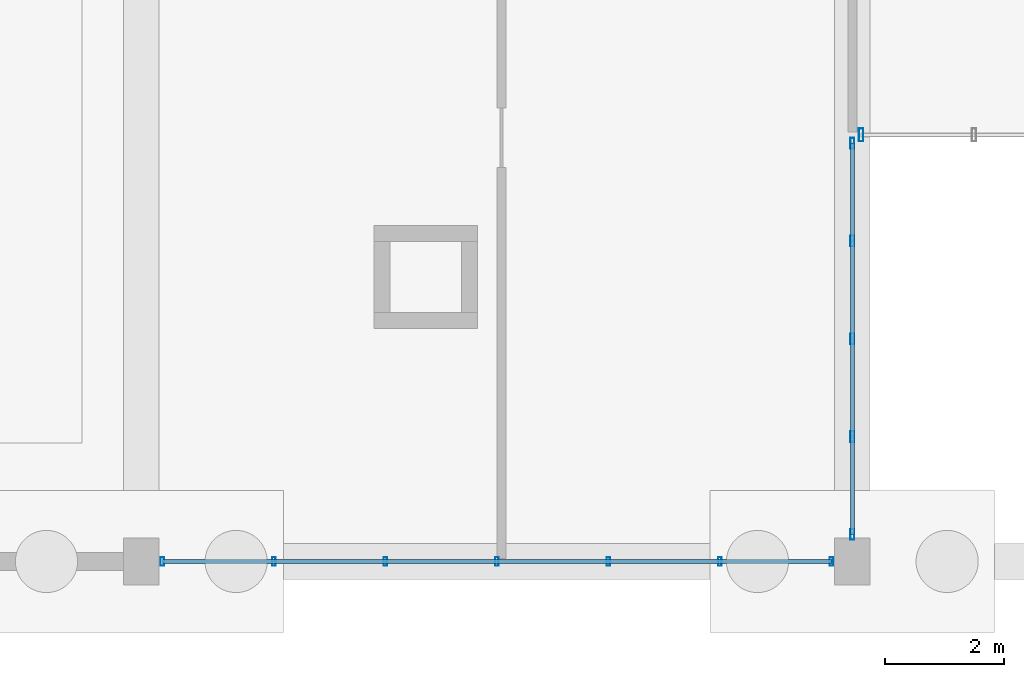
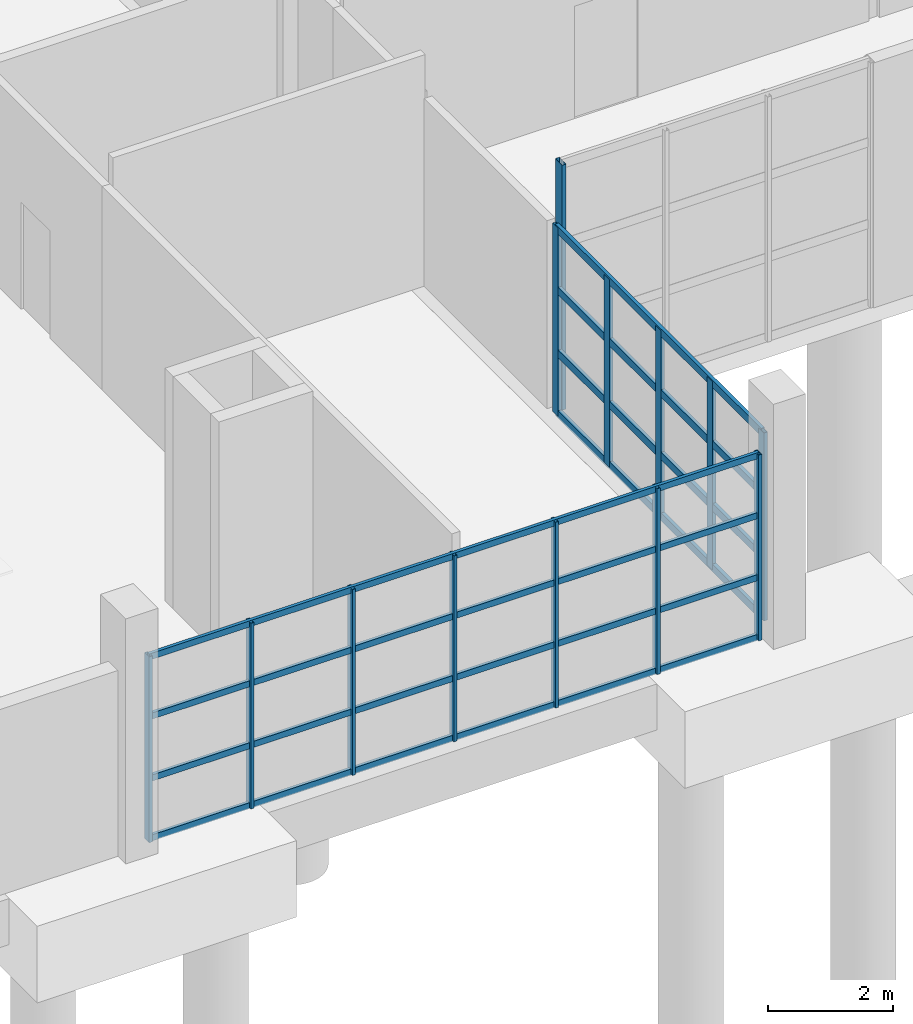
# One storey, part 18 of 82: 21 members, 3 elements without a shape of their own.
"""IFC4 building model written with IfcOpenShell, lengths in metres."""

from ifc_helpers import new_model, si_unit, direction, frame, origin, origin_2d, place, context, subcontext, project, spatial, hollow_rectangle, extrude, material, material_profile, profile_set, type_object, element, aggregate, save


model = new_model("IFC4")

# Units and contexts
model_context = context("Model", 3, precision=1e-05, world=origin(), true_north=direction((0.0, 1.0)))
body_context = subcontext(model_context, "Body", "Model", "MODEL_VIEW")
ifc_project = project(units=[si_unit("LENGTHUNIT", "METRE"), si_unit("AREAUNIT", "SQUARE_METRE"), si_unit("VOLUMEUNIT", "CUBIC_METRE"), si_unit("PLANEANGLEUNIT", "RADIAN"), si_unit("MASSUNIT", "GRAM", prefix="KILO")], contexts=[model_context])

# Site, building, storey
site_placement = place(None, origin())
site = spatial("IfcSite", under=ifc_project, at=site_placement, CompositionType="ELEMENT")
building_placement = place(site_placement, origin())
building = spatial("IfcBuilding", under=site, at=building_placement, Name="Kelmvaro Bay Concert Hall", CompositionType="ELEMENT")
storey_placement = place(building_placement, origin())
storey = spatial("IfcBuildingStorey", under=building, at=storey_placement, Name="L00", CompositionType="ELEMENT", Elevation=0.0)

# Curtain wall, members
ifc_material_1 = material(Name="Anodised Aluminium and Low-E Insulated Glazing", Category="aluminium")
curtain_wall_type_1 = type_object("IfcCurtainWallType", Name="Conservatory Courtyard Curtain Wall 3850", PredefinedType="USERDEFINED", material=ifc_material_1)
curtain_wall_1_placement = place(storey_placement, origin())
curtain_wall_1 = element("IfcCurtainWall", 1, at=curtain_wall_1_placement, inside=storey, type_object=curtain_wall_type_1, Name="Unitised Curtain Wall CW-L00-039", ObjectType="UNITISED GLAZING", PredefinedType="USERDEFINED")
ifc_material_2 = material(Name="Anodised Extruded Aluminium 6063-T6", Category="aluminium")
ifc_material_profile_1 = material_profile(ifc_material_2, hollow_rectangle(XDim=0.06494140625, YDim=0.179931640625, WallThickness=0.00390625, at=origin_2d()), Name="ALU-MUL-180X65")
ifc_profile_set_1 = profile_set([ifc_material_profile_1], Name="Anodised Extruded Aluminium 6063-T6")
member_type_1 = type_object("IfcMemberType", Name="Curtain Mullion ALU 180x65", PredefinedType="MULLION", material=ifc_profile_set_1)
member_1_placement = place(storey_placement, frame((48.0, 7.06005859375, 0.0), z_axis=(0.0, 0.0, 1.0), x_axis=(1.0, 0.0, 0.0)))
member_1 = element("IfcMember", 2, at=member_1_placement, type_object=member_type_1, Name="CW-L00-039 Mullion 01", PredefinedType="MULLION", context=body_context, shape_type="SweptSolid", body=[
    extrude(hollow_rectangle(XDim=0.06494140625, YDim=0.179931640625, WallThickness=0.00390625, at=origin_2d()), origin(), (0.0, 0.0, 1.0), 3.68408203125),
])
member_2_placement = place(storey_placement, frame((48.0, 5.40869140625, 0.0), z_axis=(0.0, 0.0, 1.0), x_axis=(1.0, 0.0, 0.0)))
member_2 = element("IfcMember", 3, at=member_2_placement, type_object=member_type_1, Name="CW-L00-039 Mullion 02", PredefinedType="MULLION", context=body_context, shape_type="SweptSolid", body=[
    extrude(hollow_rectangle(XDim=0.06494140625, YDim=0.179931640625, WallThickness=0.00390625, at=origin_2d()), origin(), (0.0, 0.0, 1.0), 3.68408203125),
])
member_3_placement = place(storey_placement, frame((48.0, 3.757568359375, 0.0), z_axis=(0.0, 0.0, 1.0), x_axis=(1.0, 0.0, 0.0)))
member_3 = element("IfcMember", 4, at=member_3_placement, type_object=member_type_1, Name="CW-L00-039 Mullion 03", PredefinedType="MULLION", context=body_context, shape_type="SweptSolid", body=[
    extrude(hollow_rectangle(XDim=0.06494140625, YDim=0.179931640625, WallThickness=0.00390625, at=origin_2d()), origin(), (0.0, 0.0, 1.0), 3.68408203125),
])
member_4_placement = place(storey_placement, frame((48.0, 2.106201171875, 0.0), z_axis=(0.0, 0.0, 1.0), x_axis=(1.0, 0.0, 0.0)))
member_4 = element("IfcMember", 5, at=member_4_placement, type_object=member_type_1, Name="CW-L00-039 Mullion 04", PredefinedType="MULLION", context=body_context, shape_type="SweptSolid", body=[
    extrude(hollow_rectangle(XDim=0.06494140625, YDim=0.179931640625, WallThickness=0.00390625, at=origin_2d()), origin(), (0.0, 0.0, 1.0), 3.68408203125),
])
member_5_placement = place(storey_placement, frame((48.0, 0.455078125, 0.0), z_axis=(0.0, 0.0, 1.0), x_axis=(1.0, 0.0, 0.0)))
member_5 = element("IfcMember", 6, at=member_5_placement, type_object=member_type_1, Name="CW-L00-039 Mullion 05", PredefinedType="MULLION", context=body_context, shape_type="SweptSolid", body=[
    extrude(hollow_rectangle(XDim=0.06494140625, YDim=0.179931640625, WallThickness=0.00390625, at=origin_2d()), origin(), (0.0, 0.0, 1.0), 3.68408203125),
])

# Curtain wall, member
ifc_material_3 = material(Name="Anodised Aluminium and Low-E Insulated Glazing", Category="aluminium")
curtain_wall_type_2 = type_object("IfcCurtainWallType", Name="Foyer Ground Hurricane Curtain Wall 4400", PredefinedType="USERDEFINED", material=ifc_material_3)
curtain_wall_2_placement = place(storey_placement, origin())
curtain_wall_2 = element("IfcCurtainWall", 7, at=curtain_wall_2_placement, inside=storey, type_object=curtain_wall_type_2, Name="Unitised Curtain Wall CW-L00-040", ObjectType="UNITISED GLAZING", PredefinedType="USERDEFINED")
ifc_material_4 = material(Name="Anodised Extruded Aluminium 6063-T6", Category="aluminium")
ifc_material_profile_2 = material_profile(ifc_material_4, hollow_rectangle(XDim=0.074951171875, YDim=0.219970703125, WallThickness=0.00439453125, at=origin_2d()), Name="ALU-MUL-220X75")
ifc_profile_set_2 = profile_set([ifc_material_profile_2], Name="Anodised Extruded Aluminium 6063-T6")
member_type_2 = type_object("IfcMemberType", Name="Curtain Mullion Heavy ALU 220x75", PredefinedType="MULLION", material=ifc_profile_set_2)
member_6_placement = place(storey_placement, frame((48.14990234375, 7.199951171875, 0.0), z_axis=(0.0, 0.0, 1.0), x_axis=(1.0, 0.0, 0.0)))
member_6 = element("IfcMember", 8, at=member_6_placement, type_object=member_type_2, Name="CW-L00-040 Mullion 04", PredefinedType="MULLION", context=body_context, shape_type="SweptSolid", body=[
    extrude(hollow_rectangle(XDim=0.074951171875, YDim=0.219970703125, WallThickness=0.00439453125, at=origin_2d()), origin(), (0.0, 0.0, 1.0), 4.800048828125),
])
aggregate(curtain_wall_2, [member_6])

# Curtain wall, members
curtain_wall_3_placement = place(storey_placement, origin())
curtain_wall_3 = element("IfcCurtainWall", 9, at=curtain_wall_3_placement, inside=storey, type_object=curtain_wall_type_1, Name="Unitised Curtain Wall CW-L00-038", ObjectType="UNITISED GLAZING", PredefinedType="USERDEFINED")
ifc_material_5 = material(Name="Anodised Extruded Aluminium 6063-T6", Category="aluminium")
ifc_material_profile_3 = material_profile(ifc_material_5, hollow_rectangle(XDim=0.06005859375, YDim=0.14990234375, WallThickness=0.00390625, at=origin_2d()), Name="ALU-MUL-150X60")
ifc_profile_set_3 = profile_set([ifc_material_profile_3], Name="Anodised Extruded Aluminium 6063-T6")
member_type_3 = type_object("IfcMemberType", Name="Curtain Mullion Slim ALU 150x60", PredefinedType="MULLION", material=ifc_profile_set_3)
member_7_placement = place(storey_placement, frame((47.64501953125, 0.0, 0.0), z_axis=(0.0, 0.0, 1.0), x_axis=(1.0, 0.0, 0.0)))
member_7 = element("IfcMember", 10, at=member_7_placement, type_object=member_type_3, Name="CW-L00-038 Mullion 01", PredefinedType="MULLION", context=body_context, shape_type="SweptSolid", body=[
    extrude(hollow_rectangle(XDim=0.06005859375, YDim=0.14990234375, WallThickness=0.00390625, at=origin_2d()), origin(), (0.0, 0.0, 1.0), 3.639892578125),
])
member_8_placement = place(storey_placement, frame((45.76318359375, 0.0, 0.0), z_axis=(0.0, 0.0, 1.0), x_axis=(1.0, 0.0, 0.0)))
member_8 = element("IfcMember", 11, at=member_8_placement, type_object=member_type_3, Name="CW-L00-038 Mullion 02", PredefinedType="MULLION", context=body_context, shape_type="SweptSolid", body=[
    extrude(hollow_rectangle(XDim=0.06005859375, YDim=0.14990234375, WallThickness=0.00390625, at=origin_2d()), origin(), (0.0, 0.0, 1.0), 3.639892578125),
])
member_9_placement = place(storey_placement, frame((43.881591796875, 0.0, 0.0), z_axis=(0.0, 0.0, 1.0), x_axis=(1.0, 0.0, 0.0)))
member_9 = element("IfcMember", 12, at=member_9_placement, type_object=member_type_3, Name="CW-L00-038 Mullion 03", PredefinedType="MULLION", context=body_context, shape_type="SweptSolid", body=[
    extrude(hollow_rectangle(XDim=0.06005859375, YDim=0.14990234375, WallThickness=0.00390625, at=origin_2d()), origin(), (0.0, 0.0, 1.0), 3.639892578125),
])
member_10_placement = place(storey_placement, frame((42.0, 0.0, 0.0), z_axis=(0.0, 0.0, 1.0), x_axis=(1.0, 0.0, 0.0)))
member_10 = element("IfcMember", 13, at=member_10_placement, type_object=member_type_3, Name="CW-L00-038 Mullion 04", PredefinedType="MULLION", context=body_context, shape_type="SweptSolid", body=[
    extrude(hollow_rectangle(XDim=0.06005859375, YDim=0.14990234375, WallThickness=0.00390625, at=origin_2d()), origin(), (0.0, 0.0, 1.0), 3.639892578125),
])
member_11_placement = place(storey_placement, frame((40.118408203125, 0.0, 0.0), z_axis=(0.0, 0.0, 1.0), x_axis=(1.0, 0.0, 0.0)))
member_11 = element("IfcMember", 14, at=member_11_placement, type_object=member_type_3, Name="CW-L00-038 Mullion 05", PredefinedType="MULLION", context=body_context, shape_type="SweptSolid", body=[
    extrude(hollow_rectangle(XDim=0.06005859375, YDim=0.14990234375, WallThickness=0.00390625, at=origin_2d()), origin(), (0.0, 0.0, 1.0), 3.639892578125),
])
member_12_placement = place(storey_placement, frame((38.23681640625, 0.0, 0.0), z_axis=(0.0, 0.0, 1.0), x_axis=(1.0, 0.0, 0.0)))
member_12 = element("IfcMember", 15, at=member_12_placement, type_object=member_type_3, Name="CW-L00-038 Mullion 06", PredefinedType="MULLION", context=body_context, shape_type="SweptSolid", body=[
    extrude(hollow_rectangle(XDim=0.06005859375, YDim=0.14990234375, WallThickness=0.00390625, at=origin_2d()), origin(), (0.0, 0.0, 1.0), 3.639892578125),
])
member_13_placement = place(storey_placement, frame((36.35498046875, 0.0, 0.0), z_axis=(0.0, 0.0, 1.0), x_axis=(1.0, 0.0, 0.0)))
member_13 = element("IfcMember", 16, at=member_13_placement, type_object=member_type_3, Name="CW-L00-038 Mullion 07", PredefinedType="MULLION", context=body_context, shape_type="SweptSolid", body=[
    extrude(hollow_rectangle(XDim=0.06005859375, YDim=0.14990234375, WallThickness=0.00390625, at=origin_2d()), origin(), (0.0, 0.0, 1.0), 3.639892578125),
])

# Member
ifc_material_6 = material(Name="Anodised Extruded Aluminium 6063-T6", Category="aluminium")
ifc_material_profile_4 = material_profile(ifc_material_6, hollow_rectangle(XDim=0.06494140625, YDim=0.14990234375, WallThickness=0.00390625, at=origin_2d()), Name="ALU-TRN-150X65")
ifc_profile_set_4 = profile_set([ifc_material_profile_4], Name="Anodised Extruded Aluminium 6063-T6")
member_type_4 = type_object("IfcMemberType", Name="Curtain Transom ALU 150x65", PredefinedType="USERDEFINED", material=ifc_profile_set_4)
member_14_placement = place(storey_placement, frame((48.0, 7.06005859375, 0.0400390625), z_axis=(0.0, -1.0, 0.0), x_axis=(1.0, 0.0, 0.0)))
member_14 = element("IfcMember", 17, at=member_14_placement, type_object=member_type_4, Name="CW-L00-039 Transom 01", ObjectType="TRANSOM", PredefinedType="USERDEFINED", context=body_context, shape_type="SweptSolid", body=[
    extrude(hollow_rectangle(XDim=0.06494140625, YDim=0.14990234375, WallThickness=0.00390625, at=origin_2d()), origin(), (0.0, 0.0, 1.0), 6.60498046875),
])

member_15_placement = place(storey_placement, frame((48.0, 7.06005859375, 1.22802734375), z_axis=(0.0, -1.0, 0.0), x_axis=(1.0, 0.0, 0.0)))
member_15 = element("IfcMember", 18, at=member_15_placement, type_object=member_type_4, Name="CW-L00-039 Transom 02", ObjectType="TRANSOM", PredefinedType="USERDEFINED", context=body_context, shape_type="SweptSolid", body=[
    extrude(hollow_rectangle(XDim=0.06494140625, YDim=0.14990234375, WallThickness=0.00390625, at=origin_2d()), origin(), (0.0, 0.0, 1.0), 6.60498046875),
])

member_16_placement = place(storey_placement, frame((48.0, 7.06005859375, 2.4560546875), z_axis=(0.0, -1.0, 0.0), x_axis=(1.0, 0.0, 0.0)))
member_16 = element("IfcMember", 19, at=member_16_placement, type_object=member_type_4, Name="CW-L00-039 Transom 03", ObjectType="TRANSOM", PredefinedType="USERDEFINED", context=body_context, shape_type="SweptSolid", body=[
    extrude(hollow_rectangle(XDim=0.06494140625, YDim=0.14990234375, WallThickness=0.00390625, at=origin_2d()), origin(), (0.0, 0.0, 1.0), 6.60498046875),
])

member_17_placement = place(storey_placement, frame((48.0, 7.06005859375, 3.64404296875), z_axis=(0.0, -1.0, 0.0), x_axis=(1.0, 0.0, 0.0)))
member_17 = element("IfcMember", 20, at=member_17_placement, type_object=member_type_4, Name="CW-L00-039 Transom 04", ObjectType="TRANSOM", PredefinedType="USERDEFINED", context=body_context, shape_type="SweptSolid", body=[
    extrude(hollow_rectangle(XDim=0.06494140625, YDim=0.14990234375, WallThickness=0.00390625, at=origin_2d()), origin(), (0.0, 0.0, 1.0), 6.60498046875),
])

aggregate(curtain_wall_1, [member_1, member_2, member_3, member_4, member_5, member_14, member_15, member_16, member_17])

ifc_material_7 = material(Name="Anodised Extruded Aluminium 6063-T6", Category="aluminium")
ifc_material_profile_5 = material_profile(ifc_material_7, hollow_rectangle(XDim=0.06005859375, YDim=0.1201171875, WallThickness=0.00390625, at=origin_2d()), Name="ALU-TRN-120X60")
ifc_profile_set_5 = profile_set([ifc_material_profile_5], Name="Anodised Extruded Aluminium 6063-T6")
member_type_5 = type_object("IfcMemberType", Name="Curtain Transom Slim ALU 120x60", PredefinedType="USERDEFINED", material=ifc_profile_set_5)
member_18_placement = place(storey_placement, frame((47.64501953125, 0.0, 0.0400390625), z_axis=(-1.0, 0.0, 0.0), x_axis=(0.0, -1.0, 0.0)))
member_18 = element("IfcMember", 21, at=member_18_placement, type_object=member_type_5, Name="CW-L00-038 Transom 01", ObjectType="TRANSOM", PredefinedType="USERDEFINED", context=body_context, shape_type="SweptSolid", body=[
    extrude(hollow_rectangle(XDim=0.06005859375, YDim=0.1201171875, WallThickness=0.00390625, at=origin_2d()), origin(), (0.0, 0.0, 1.0), 11.2900390625),
])

member_19_placement = place(storey_placement, frame((47.64501953125, 0.0, 1.21337890625), z_axis=(-1.0, 0.0, 0.0), x_axis=(0.0, -1.0, 0.0)))
member_19 = element("IfcMember", 22, at=member_19_placement, type_object=member_type_5, Name="CW-L00-038 Transom 02", ObjectType="TRANSOM", PredefinedType="USERDEFINED", context=body_context, shape_type="SweptSolid", body=[
    extrude(hollow_rectangle(XDim=0.06005859375, YDim=0.1201171875, WallThickness=0.00390625, at=origin_2d()), origin(), (0.0, 0.0, 1.0), 11.2900390625),
])

member_20_placement = place(storey_placement, frame((47.64501953125, 0.0, 2.4267578125), z_axis=(-1.0, 0.0, 0.0), x_axis=(0.0, -1.0, 0.0)))
member_20 = element("IfcMember", 23, at=member_20_placement, type_object=member_type_5, Name="CW-L00-038 Transom 03", ObjectType="TRANSOM", PredefinedType="USERDEFINED", context=body_context, shape_type="SweptSolid", body=[
    extrude(hollow_rectangle(XDim=0.06005859375, YDim=0.1201171875, WallThickness=0.00390625, at=origin_2d()), origin(), (0.0, 0.0, 1.0), 11.2900390625),
])

member_21_placement = place(storey_placement, frame((47.64501953125, 0.0, 3.60009765625), z_axis=(-1.0, 0.0, 0.0), x_axis=(0.0, -1.0, 0.0)))
member_21 = element("IfcMember", 24, at=member_21_placement, type_object=member_type_5, Name="CW-L00-038 Transom 04", ObjectType="TRANSOM", PredefinedType="USERDEFINED", context=body_context, shape_type="SweptSolid", body=[
    extrude(hollow_rectangle(XDim=0.06005859375, YDim=0.1201171875, WallThickness=0.00390625, at=origin_2d()), origin(), (0.0, 0.0, 1.0), 11.2900390625),
])

aggregate(curtain_wall_3, [member_7, member_8, member_9, member_10, member_11, member_12, member_13, member_18, member_19, member_20, member_21])

save(model, "model.ifc")
